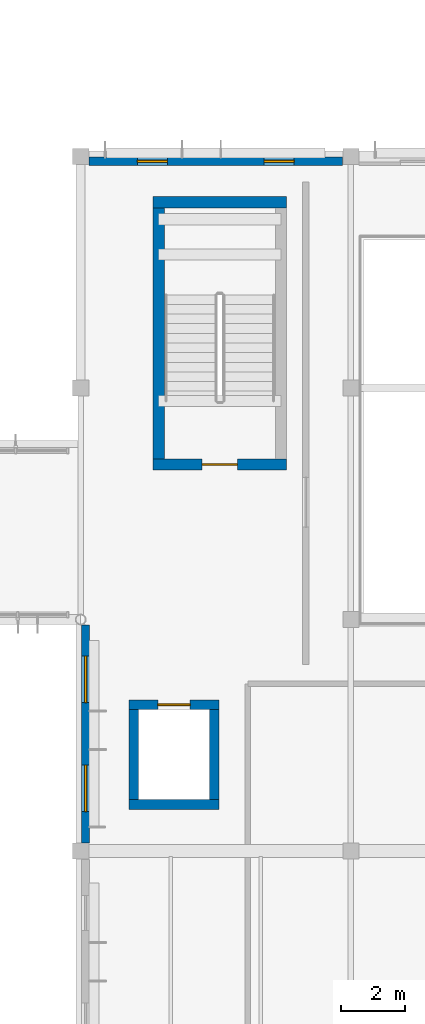
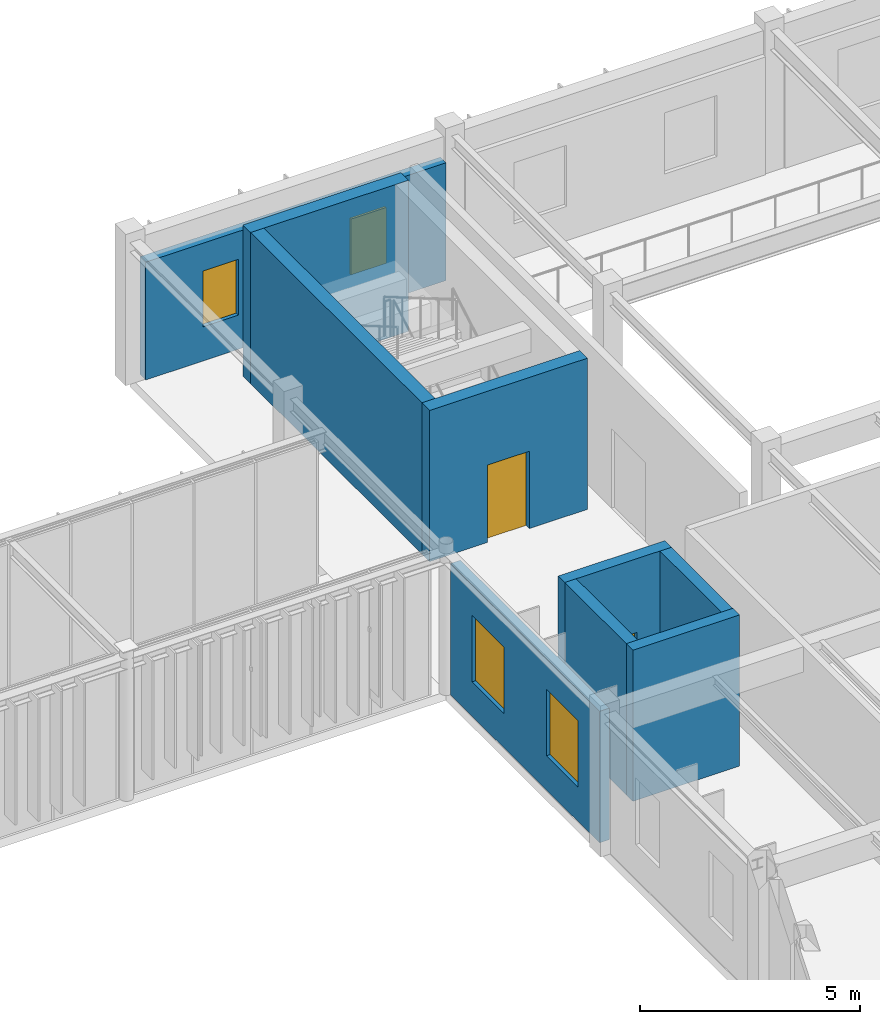
# One storey, part 42 of 122: 9 walls, 4 windows, 2 doors, 6 openings.
"""IFC4 building model written with IfcOpenShell, lengths in metres."""

from ifc_helpers import new_model, si_unit, direction, frame, frame_2d, origin, place, context, subcontext, project, spatial, rectangle, extrude, material, layer, layer_set, type_object, element, fill, save


model = new_model("IFC4")

# Units and contexts
model_context = context("Model", 3, precision=1e-05, world=origin(), true_north=direction((0.0, 1.0)))
body_context = subcontext(model_context, "Body", "Model", "MODEL_VIEW")
ifc_project = project(units=[si_unit("LENGTHUNIT", "METRE"), si_unit("AREAUNIT", "SQUARE_METRE"), si_unit("VOLUMEUNIT", "CUBIC_METRE"), si_unit("PLANEANGLEUNIT", "RADIAN"), si_unit("MASSUNIT", "GRAM", prefix="KILO")], contexts=[model_context])

# Site, building, storey
site_placement = place(None, origin())
site = spatial("IfcSite", under=ifc_project, at=site_placement, CompositionType="ELEMENT")
building_placement = place(site_placement, origin())
building = spatial("IfcBuilding", under=site, at=building_placement, Name="Tazoul Stagehouse", CompositionType="ELEMENT")
storey_placement = place(building_placement, frame((0.0, 0.0, 4.800048828125)))
storey = spatial("IfcBuildingStorey", under=building, at=storey_placement, Name="L01", CompositionType="ELEMENT", Elevation=4.800048828125)

# Wall, opening, door
ifc_material_1 = material(Name="Concrete C40/50", Category="concrete")
ifc_layer_1 = layer(ifc_material_1, 0.35009765625, Name="Concrete C40/50")
ifc_layer_set_1 = layer_set([ifc_layer_1], Name="Concrete C40/50")
wall_type_1 = type_object("IfcWallType", Name="Core Shear Wall 350", PredefinedType="SOLIDWALL", material=ifc_layer_set_1)
wall_1_placement = place(storey_placement, frame((131.800048828125, 49.425048828125, 0.0), z_axis=(0.0, 0.0, 1.0), x_axis=(-1.0, 0.0, 0.0)))
wall_1 = element("IfcWall", 1, at=wall_1_placement, inside=storey, type_object=wall_type_1, Name="L01 Core Wall CW-350 (SHF-ST-07-south)", PredefinedType="SOLIDWALL", context=body_context, shape_type="SweptSolid", body=[
    extrude(rectangle(XDim=4.150146484375, YDim=0.35009765625, at=frame_2d((2.0751953125, 0.0))), origin(), (0.0, 0.0, 1.0), 4.199951171875),
])
opening_1_placement = place(wall_1_placement, frame((1.52490234375, 0.0, 0.0)))
opening_1 = element("IfcOpeningElement", 2, at=opening_1_placement, cuts=wall_1, Name="Opening FD-01", PredefinedType="OPENING", context=body_context, shape_type="SweptSolid", body=[
    extrude(rectangle(XDim=1.10009765625, YDim=2.14990234375, at=frame_2d((0.550048828125, 1.074951171875))), frame((0.0, 0.195068359375, 0.0), z_axis=(0.0, -1.0, 0.0), x_axis=(1.0, 0.0, 0.0)), (0.0, 0.0, 1.0), 0.39013671875),
])
ifc_material_2 = material(Name="Powder-Coated Galvanised Acoustic Steel", Category="steel")
door_type_1 = type_object("IfcDoorType", Name="Core Escape Stair Fire Door 1100x2150", OperationType="NOTDEFINED", PredefinedType="DOOR", material=ifc_material_2)
door_1_placement = place(opening_1_placement, origin())
door_1 = element("IfcDoor", 3, at=door_1_placement, inside=storey, type_object=door_type_1, Name="L01 Escape Stair Fire Door FD-01 (ST-07)", OperationType="SINGLE_SWING_LEFT", OverallHeight=2.14990234375, OverallWidth=1.10009765625, PredefinedType="DOOR", context=body_context, shape_type="SweptSolid", body=[
    extrude(rectangle(XDim=1.10009765625, YDim=2.14990234375, at=frame_2d((0.550048828125, 1.074951171875))), frame((0.0, 0.02490234375, 0.0), z_axis=(0.0, -1.0, 0.0), x_axis=(1.0, 0.0, 0.0)), (0.0, 0.0, 1.0), 0.050048828125),
])
fill(opening_1, door_1)

# Walls
wall_2_placement = place(storey_placement, frame((127.824951171875, 49.60009765625, 0.0), z_axis=(0.0, 0.0, 1.0), x_axis=(0.0, 1.0, 0.0)))
element("IfcWall", 4, at=wall_2_placement, inside=storey, type_object=wall_type_1, Name="L01 Core Wall CW-350 (SHF-ST-07-west)", PredefinedType="SOLIDWALL", context=body_context, shape_type="SweptSolid", body=[
    extrude(rectangle(XDim=7.7998046875, YDim=0.35009765625, at=frame_2d((3.89990234375, 0.0))), origin(), (0.0, 0.0, 1.0), 4.199951171875),
])
wall_3_placement = place(storey_placement, frame((127.64990234375, 57.574951171875, 0.0), z_axis=(0.0, 0.0, 1.0), x_axis=(1.0, 0.0, 0.0)))
element("IfcWall", 5, at=wall_3_placement, inside=storey, type_object=wall_type_1, Name="L01 Core Wall CW-350 (SHF-ST-07-north)", PredefinedType="SOLIDWALL", context=body_context, shape_type="SweptSolid", body=[
    extrude(rectangle(XDim=4.150146484375, YDim=0.35009765625, at=frame_2d((2.0751953125, 0.0))), origin(), (0.0, 0.0, 1.0), 4.199951171875),
])

# Wall, openings, windows
ifc_material_3 = material(Name="Precast concrete C40/50", Category="concrete")
ifc_layer_2 = layer(ifc_material_3, 0.260009765625, Name="Precast concrete C40/50")
ifc_layer_set_2 = layer_set([ifc_layer_2], Name="Precast concrete C40/50")
wall_type_2 = type_object("IfcWallType", Name="Curved Studio Drum Terracotta-Concrete Wall 260", PredefinedType="SOLIDWALL", material=ifc_layer_set_2)
wall_4_placement = place(storey_placement, frame((125.655029296875, 58.85009765625, 0.0), z_axis=(0.0, 0.0, 1.0), x_axis=(1.0, 0.0, 0.0)))
wall_4 = element("IfcWall", 6, at=wall_4_placement, inside=storey, type_object=wall_type_2, Name="L01 Wall EW-260 (WALL-V4-N-L01-S1)", PredefinedType="SOLIDWALL", context=body_context, shape_type="SweptSolid", body=[
    extrude(rectangle(XDim=7.889892578125, YDim=0.260009765625, at=frame_2d((3.94482421875, 0.0))), origin(), (0.0, 0.0, 1.0), 3.27294921875),
])
opening_2_placement = place(wall_4_placement, frame((1.507568359375, 0.0, 0.949951171875)))
opening_2 = element("IfcOpeningElement", 7, at=opening_2_placement, cuts=wall_4, Name="Opening WN-34", PredefinedType="OPENING", context=body_context, shape_type="SweptSolid", body=[
    extrude(rectangle(XDim=0.929931640625, YDim=1.550048828125, at=frame_2d((0.46484375, 0.77490234375))), frame((0.0, 0.14990234375, 0.0), z_axis=(0.0, -1.0, 0.0), x_axis=(1.0, 0.0, 0.0)), (0.0, 0.0, 1.0), 0.300048828125),
])
opening_3_placement = place(wall_4_placement, frame((5.452392578125, 0.0, 0.949951171875)))
opening_3 = element("IfcOpeningElement", 8, at=opening_3_placement, cuts=wall_4, Name="Opening WN-34", PredefinedType="OPENING", context=body_context, shape_type="SweptSolid", body=[
    extrude(rectangle(XDim=0.929931640625, YDim=1.550048828125, at=frame_2d((0.46484375, 0.77490234375))), frame((0.0, 0.14990234375, 0.0), z_axis=(0.0, -1.0, 0.0), x_axis=(1.0, 0.0, 0.0)), (0.0, 0.0, 1.0), 0.300048828125),
])
ifc_material_4 = material(Name="Double Low-E Acoustic Laminated Glass", Category="glass")
window_type_1 = type_object("IfcWindowType", Name="Architectural Acoustic Facade Window 930x1550", PartitioningType="SINGLE_PANEL", PredefinedType="WINDOW", material=ifc_material_4)
window_1_placement = place(opening_2_placement, origin())
window_1 = element("IfcWindow", 9, at=window_1_placement, inside=storey, type_object=window_type_1, Name="L01 Window WN-34 (WALL-V4-N-L01-S1-W1)", OverallHeight=1.550048828125, OverallWidth=0.929931640625, PartitioningType="SINGLE_PANEL", PredefinedType="WINDOW", context=body_context, shape_type="SweptSolid", body=[
    extrude(rectangle(XDim=0.929931640625, YDim=1.550048828125, at=frame_2d((0.46484375, 0.77490234375))), frame((0.0, 0.030029296875, 0.0), z_axis=(0.0, -1.0, 0.0), x_axis=(1.0, 0.0, 0.0)), (0.0, 0.0, 1.0), 0.06005859375),
])
fill(opening_2, window_1)
window_2_placement = place(opening_3_placement, origin())
window_2 = element("IfcWindow", 10, at=window_2_placement, inside=storey, type_object=window_type_1, Name="L01 Window WN-34 (WALL-V4-N-L01-S1-W2)", OverallHeight=1.550048828125, OverallWidth=0.929931640625, PartitioningType="SINGLE_PANEL", PredefinedType="WINDOW", context=body_context, shape_type="SweptSolid", body=[
    extrude(rectangle(XDim=0.929931640625, YDim=1.550048828125, at=frame_2d((0.46484375, 0.77490234375))), frame((0.0, 0.030029296875, 0.0), z_axis=(0.0, -1.0, 0.0), x_axis=(1.0, 0.0, 0.0)), (0.0, 0.0, 1.0), 0.06005859375),
])
fill(opening_3, window_2)

wall_5_placement = place(storey_placement, frame((125.550048828125, 37.655029296875, 0.0), z_axis=(0.0, 0.0, 1.0), x_axis=(0.0, 1.0, 0.0)))
wall_5 = element("IfcWall", 11, at=wall_5_placement, inside=storey, type_object=wall_type_2, Name="L01 Wall EW-260 (WALL-V4-W-L01-S4)", PredefinedType="SOLIDWALL", context=body_context, shape_type="SweptSolid", body=[
    extrude(rectangle(XDim=6.778076171875, YDim=0.260009765625, at=frame_2d((3.38916015625, 0.0))), origin(), (0.0, 0.0, 1.0), 3.65283203125),
])
opening_4_placement = place(wall_5_placement, frame((0.969482421875, 0.0, 0.949951171875)))
opening_4 = element("IfcOpeningElement", 12, at=opening_4_placement, cuts=wall_5, Name="Opening WN-24", PredefinedType="OPENING", context=body_context, shape_type="SweptSolid", body=[
    extrude(rectangle(XDim=1.449951171875, YDim=1.85009765625, at=frame_2d((0.72509765625, 0.925048828125))), frame((0.0, 0.14990234375, 0.0), z_axis=(0.0, -1.0, 0.0), x_axis=(1.0, 0.0, 0.0)), (0.0, 0.0, 1.0), 0.300048828125),
])
opening_5_placement = place(wall_5_placement, frame((4.358642578125, 0.0, 0.949951171875)))
opening_5 = element("IfcOpeningElement", 13, at=opening_5_placement, cuts=wall_5, Name="Opening WN-24", PredefinedType="OPENING", context=body_context, shape_type="SweptSolid", body=[
    extrude(rectangle(XDim=1.449951171875, YDim=1.85009765625, at=frame_2d((0.72509765625, 0.925048828125))), frame((0.0, 0.14990234375, 0.0), z_axis=(0.0, -1.0, 0.0), x_axis=(1.0, 0.0, 0.0)), (0.0, 0.0, 1.0), 0.300048828125),
])
window_type_2 = type_object("IfcWindowType", Name="Rehearsal Daylight Window 1450x1850", PartitioningType="SINGLE_PANEL", PredefinedType="WINDOW", material=ifc_material_4)
window_3_placement = place(opening_4_placement, origin())
window_3 = element("IfcWindow", 14, at=window_3_placement, inside=storey, type_object=window_type_2, Name="L01 Window WN-24 (WALL-V4-W-L01-S4-W1)", OverallHeight=1.85009765625, OverallWidth=1.449951171875, PartitioningType="SINGLE_PANEL", PredefinedType="WINDOW", context=body_context, shape_type="SweptSolid", body=[
    extrude(rectangle(XDim=1.449951171875, YDim=1.85009765625, at=frame_2d((0.72509765625, 0.925048828125))), frame((0.0, 0.030029296875, 0.0), z_axis=(0.0, -1.0, 0.0), x_axis=(1.0, 0.0, 0.0)), (0.0, 0.0, 1.0), 0.06005859375),
])
fill(opening_4, window_3)
window_4_placement = place(opening_5_placement, origin())
window_4 = element("IfcWindow", 15, at=window_4_placement, inside=storey, type_object=window_type_2, Name="L01 Window WN-24 (WALL-V4-W-L01-S4-W2)", OverallHeight=1.85009765625, OverallWidth=1.449951171875, PartitioningType="SINGLE_PANEL", PredefinedType="WINDOW", context=body_context, shape_type="SweptSolid", body=[
    extrude(rectangle(XDim=1.449951171875, YDim=1.85009765625, at=frame_2d((0.72509765625, 0.925048828125))), frame((0.0, 0.030029296875, 0.0), z_axis=(0.0, -1.0, 0.0), x_axis=(1.0, 0.0, 0.0)), (0.0, 0.0, 1.0), 0.06005859375),
])
fill(opening_5, window_4)

# Walls
ifc_layer_3 = layer(ifc_material_1, 0.300048828125, Name="Concrete C40/50")
ifc_layer_set_3 = layer_set([ifc_layer_3], Name="Concrete C40/50")
wall_type_3 = type_object("IfcWallType", Name="Lift Shaft Wall 300", PredefinedType="SOLIDWALL", material=ifc_layer_set_3)
for number, where, z_axis, x_axis, name in (
    (16, (129.699951171875, 38.85009765625, 0.0), (0.0, 0.0, 1.0), (-1.0, 0.0, 0.0), "L01 Core Wall CW-300 (LSHF-PL-04-south)"),
    (17, (127.050048828125, 39.0, 0.0), (0.0, 0.0, 1.0), (0.0, 1.0, 0.0), "L01 Core Wall CW-300 (LSHF-PL-04-west)"),
):
    element("IfcWall", number, at=place(storey_placement, frame(where, z_axis=z_axis, x_axis=x_axis)), inside=storey, type_object=wall_type_3, Name=name, PredefinedType="SOLIDWALL", context=body_context, shape_type="SweptSolid", body=[
        extrude(rectangle(XDim=2.800048828125, YDim=0.300048828125, at=frame_2d((1.39990234375, 0.0))), origin(), (0.0, 0.0, 1.0), 4.199951171875),
    ])

# Wall, opening, door
wall_6_placement = place(storey_placement, frame((126.89990234375, 41.949951171875, 0.0), z_axis=(0.0, 0.0, 1.0), x_axis=(1.0, 0.0, 0.0)))
wall_6 = element("IfcWall", 18, at=wall_6_placement, inside=storey, type_object=wall_type_3, Name="L01 Core Wall CW-300 (LSHF-PL-04-north)", PredefinedType="SOLIDWALL", context=body_context, shape_type="SweptSolid", body=[
    extrude(rectangle(XDim=2.800048828125, YDim=0.300048828125, at=frame_2d((1.39990234375, 0.0))), origin(), (0.0, 0.0, 1.0), 4.199951171875),
])
opening_6_placement = place(wall_6_placement, frame((0.89990234375, 0.0, 0.0)))
opening_6 = element("IfcOpeningElement", 19, at=opening_6_placement, cuts=wall_6, Name="Opening LD-06", PredefinedType="OPENING", context=body_context, shape_type="SweptSolid", body=[
    extrude(rectangle(XDim=1.0, YDim=2.14990234375, at=frame_2d((0.5, 1.074951171875))), frame((0.0, 0.169921875, 0.0), z_axis=(0.0, -1.0, 0.0), x_axis=(1.0, 0.0, 0.0)), (0.0, 0.0, 1.0), 0.340087890625),
])
door_type_2 = type_object("IfcDoorType", Name="Studio Lift Sliding Landing Door 1000x2150", OperationType="DOUBLE_DOOR_SLIDING", PredefinedType="DOOR", material=ifc_material_2)
door_2_placement = place(opening_6_placement, origin())
door_2 = element("IfcDoor", 20, at=door_2_placement, inside=storey, type_object=door_type_2, Name="L01 Lift Landing Sliding Door LD-06 (PL-04)", OperationType="DOUBLE_DOOR_SLIDING", OverallHeight=2.14990234375, OverallWidth=1.0, PredefinedType="DOOR", context=body_context, shape_type="SweptSolid", body=[
    extrude(rectangle(XDim=1.0, YDim=2.14990234375, at=frame_2d((0.5, 1.074951171875))), frame((0.0, 0.02490234375, 0.0), z_axis=(0.0, -1.0, 0.0), x_axis=(1.0, 0.0, 0.0)), (0.0, 0.0, 1.0), 0.050048828125),
])
fill(opening_6, door_2)

# Wall
wall_7_placement = place(storey_placement, frame((129.550048828125, 41.800048828125, 0.0), z_axis=(0.0, 0.0, 1.0), x_axis=(0.0, -1.0, 0.0)))
element("IfcWall", 21, at=wall_7_placement, inside=storey, type_object=wall_type_3, Name="L01 Core Wall CW-300 (LSHF-PL-04-east)", PredefinedType="SOLIDWALL", context=body_context, shape_type="SweptSolid", body=[
    extrude(rectangle(XDim=2.800048828125, YDim=0.300048828125, at=frame_2d((1.39990234375, 0.0))), origin(), (0.0, 0.0, 1.0), 4.199951171875),
])

save(model, "model.ifc")
